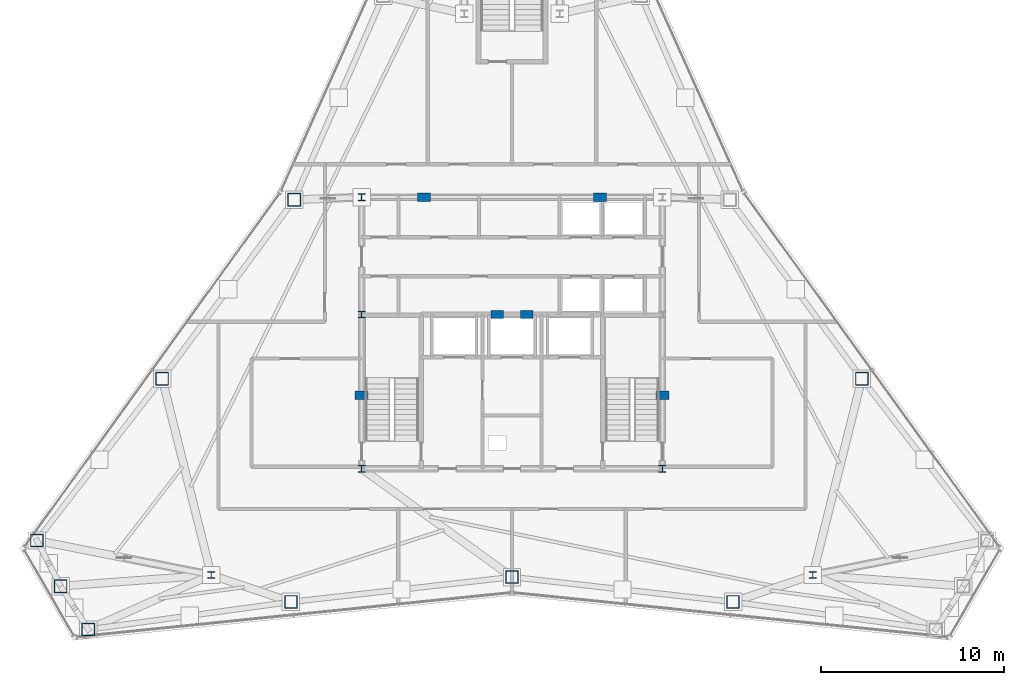
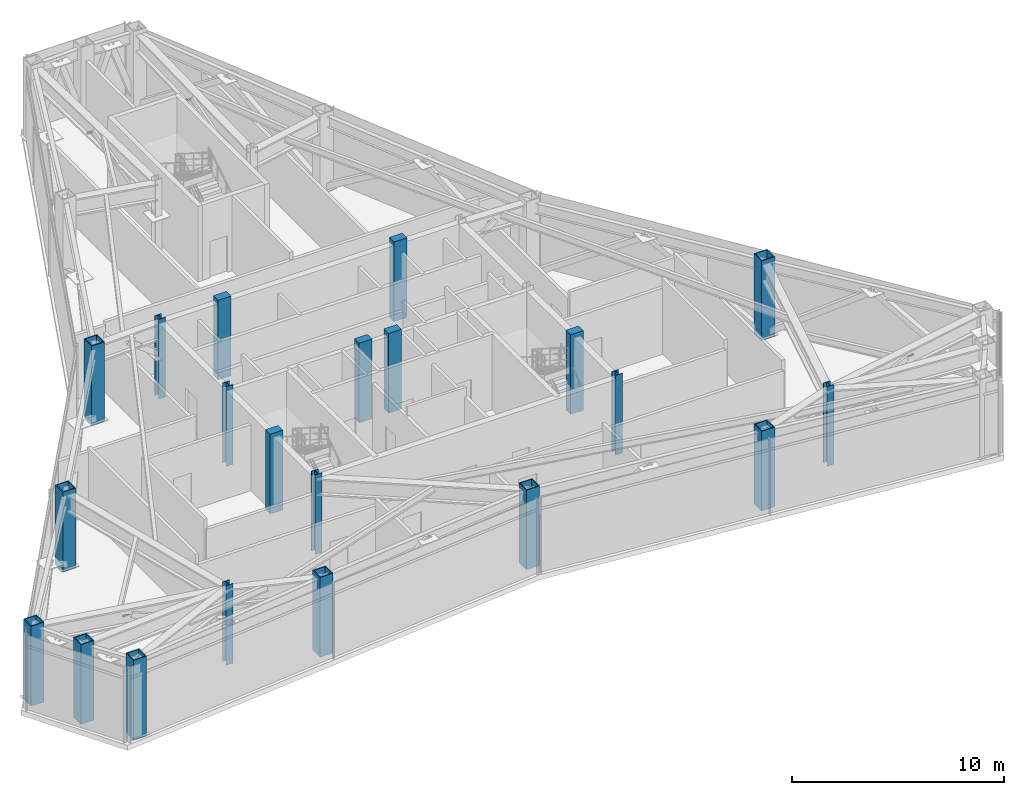
# One storey, part 1 of 12: 21 columns.
"""IFC4 building model written with IfcOpenShell, lengths in metres."""

import ifcopenshell
import ifcopenshell.guid

model = None  # the IFC model being written
_history = None  # IfcOwnerHistory: only IFC2X3 demands one
_inside = {}  # id of a spatial element -> (the spatial element, [elements in it])
_under = {}  # id of a project, library or spatial element -> (it, [spatial elements below it])
_declared = {}  # id of a project -> (the project, [libraries it declares])
_typed = {}  # id of a type object -> (the type object, [elements of that type])
_made_of = {}  # id of a material, layer set ... -> (it, [elements and type objects made of it])


def new_model(schema):
    """Start an empty IFC model of exactly this schema.

    Asked for "IFC4X3", IfcOpenShell would pick the latest addendum, in which some entities
    have other attributes; the version numbers below select the first issue.
    IFC2X3 requires an IfcOwnerHistory on every rooted entity: one is made here for all.
    """
    global model, _history
    if schema == "IFC4X3":
        model = ifcopenshell.file(schema_version=(4, 3, 0, 0))
    else:
        model = ifcopenshell.file(schema=schema)
    _inside.clear()
    _under.clear()
    _declared.clear()
    _typed.clear()
    _made_of.clear()
    _history = None
    if model.schema == "IFC2X3":
        org = make("IfcOrganization", Name="unknown")
        user = make(
            "IfcPersonAndOrganization",
            ThePerson=make("IfcPerson", FamilyName="unknown"),
            TheOrganization=org,
        )
        app = make(
            "IfcApplication",
            ApplicationDeveloper=org,
            Version="unknown",
            ApplicationFullName="unknown",
            ApplicationIdentifier="unknown",
        )
        _history = make(
            "IfcOwnerHistory",
            OwningUser=user,
            OwningApplication=app,
            ChangeAction="ADDED",
            CreationDate=0,
        )
    return model


def make(cls, **values):
    """One entity of the class cls with the attributes given. An attribute that is None is left unset."""
    return model.create_entity(
        cls, **{name: value for name, value in values.items() if value is not None}
    )


def rooted(cls, **values):
    """An entity with a GlobalId (a new one), such as an element, a storey or a relation."""
    return make(cls, GlobalId=ifcopenshell.guid.new(), OwnerHistory=_history, **values)


def si_unit(unit_type, name, prefix=None):
    """IfcSIUnit, for example si_unit("LENGTHUNIT", "METRE", prefix="MILLI")."""
    return make("IfcSIUnit", UnitType=unit_type, Prefix=prefix, Name=name)


def assignment(units):
    """IfcUnitAssignment: the units of a project."""
    return None if units is None else make("IfcUnitAssignment", Units=units)


def point(xyz):
    """IfcCartesianPoint."""
    return None if xyz is None else make("IfcCartesianPoint", Coordinates=xyz)


def direction(xyz):
    """IfcDirection."""
    return None if xyz is None else make("IfcDirection", DirectionRatios=xyz)


def frame(location, z_axis=None, x_axis=None):
    """IfcAxis2Placement3D, a coordinate frame: its origin and axes. An axis left out is left unset."""
    return make(
        "IfcAxis2Placement3D",
        Location=point(location),
        Axis=direction(z_axis),
        RefDirection=direction(x_axis),
    )


def frame_2d(location, x_axis=None):
    """IfcAxis2Placement2D, a coordinate frame in the plane: its origin and x axis."""
    return make(
        "IfcAxis2Placement2D", Location=point(location), RefDirection=direction(x_axis)
    )


def origin():
    """The frame at (0, 0, 0) with its axes left unset."""
    return frame((0.0, 0.0, 0.0))


def origin_2d():
    """The frame at (0, 0) in the plane with its x axis left unset."""
    return frame_2d((0.0, 0.0))


def place(relative_to, where):
    """IfcLocalPlacement: puts the frame where relative to a parent placement (None: the world)."""
    return make(
        "IfcLocalPlacement", PlacementRelTo=relative_to, RelativePlacement=where
    )


def context(
    kind, dimensions, precision=None, world=None, true_north=None, identifier=None
):
    """IfcGeometricRepresentationContext, for example the 3D "Model" context."""
    return make(
        "IfcGeometricRepresentationContext",
        ContextIdentifier=identifier,
        ContextType=kind,
        CoordinateSpaceDimension=dimensions,
        Precision=precision,
        WorldCoordinateSystem=world,
        TrueNorth=true_north,
    )


def subcontext(parent, identifier, kind, view, scale=None):
    """IfcGeometricRepresentationSubContext, for example "Body" below "Model"."""
    return make(
        "IfcGeometricRepresentationSubContext",
        ContextIdentifier=identifier,
        ContextType=kind,
        ParentContext=parent,
        TargetScale=scale,
        TargetView=view,
    )


def project(units=None, contexts=None):
    """IfcProject with its units and contexts."""
    return rooted(
        "IfcProject",
        Name="project",
        RepresentationContexts=contexts,
        UnitsInContext=assignment(units),
    )


def spatial(cls, under=None, at=None, **own):
    """A site, building, storey or space (cls), placed at a placement, below another one or the project."""
    s = rooted(cls, ObjectPlacement=at, **own)
    if under is not None:
        _under.setdefault(under.id(), (under, []))[1].append(s)
    return s


def profile(cls, at=None, kind="AREA", **sizes):
    """A parametric profile (cls). Its sizes go by their IFC names, for example OverallWidth=200.0."""
    return make(cls, ProfileType=kind, Position=at, **sizes)


def rectangle(**sizes):
    """IfcRectangleProfileDef."""
    return profile("IfcRectangleProfileDef", **sizes)


def hollow_rectangle(**sizes):
    """IfcRectangleHollowProfileDef."""
    return profile("IfcRectangleHollowProfileDef", **sizes)


def i_section(**sizes):
    """IfcIShapeProfileDef."""
    return profile("IfcIShapeProfileDef", **sizes)


def extrude(swept, where, along, depth):
    """IfcExtrudedAreaSolid: the profile swept, set in the frame where, extruded along a direction by depth."""
    return make(
        "IfcExtrudedAreaSolid",
        SweptArea=swept,
        Position=where,
        ExtrudedDirection=direction(along),
        Depth=depth,
    )


def shape(context_of_items, identifier, shape_type, items):
    """IfcShapeRepresentation: the items that make up one representation, for example the "Body"."""
    return make(
        "IfcShapeRepresentation",
        ContextOfItems=context_of_items,
        RepresentationIdentifier=identifier,
        RepresentationType=shape_type,
        Items=items,
    )


def material(Name=None, Category=None):
    """IfcMaterial."""
    return make("IfcMaterial", Name=Name, Category=Category)


def material_profile(
    of_material, cross_section, Name=None, Category=None, Priority=None
):
    """IfcMaterialProfile: a cross section and its material."""
    return make(
        "IfcMaterialProfile",
        Name=Name,
        Material=of_material,
        Profile=cross_section,
        Priority=Priority,
        Category=Category,
    )


def profile_set(profiles, Name=None, composite=None):
    """IfcMaterialProfileSet."""
    return make(
        "IfcMaterialProfileSet",
        Name=Name,
        MaterialProfiles=profiles,
        CompositeProfile=composite,
    )


def made_of(thing, what):
    """Note that an element or type object is made of a material, layer set ...; save() writes the relation."""
    if what is not None:
        _made_of.setdefault(what.id(), (what, []))[1].append(thing)
    return thing


def type_object(cls, material=None, **own):
    """A type object (cls), such as IfcWallType, which elements share."""
    return made_of(rooted(cls, **own), material)


def element(
    cls,
    number,
    at=None,
    inside=None,
    cuts=None,
    type_object=None,
    material=None,
    context=None,
    identifier="Body",
    shape_type=None,
    held_by="IfcProductDefinitionShape",
    body=None,
    shapes=None,
    **own,
):
    """One element of the class cls, such as IfcWall. Its Tag is "e" and its number.

    at: its placement. inside: the storey or other place that contains it. cuts: it is an
    opening in that element (IfcRelVoidsElement). A single representation is given by context,
    identifier, shape_type and body (its items); several are given by shapes. held_by: the class
    of the entity that holds the representations. save() writes the other relations.
    """
    e = rooted(cls, Tag="e%d" % number, ObjectPlacement=at, **own)
    if body is not None:
        shapes = [shape(context, identifier, shape_type, body)]
    if shapes is not None:
        e.Representation = make(held_by, Representations=shapes)
    if inside is not None:
        _inside.setdefault(inside.id(), (inside, []))[1].append(e)
    if cuts is not None:
        rooted(
            "IfcRelVoidsElement", RelatingBuildingElement=cuts, RelatedOpeningElement=e
        )
    if type_object is not None:
        _typed.setdefault(type_object.id(), (type_object, []))[1].append(e)
    return made_of(e, material)


def aggregate(whole, parts):
    """IfcRelAggregates: a whole, such as a stair, and the parts it consists of."""
    return rooted("IfcRelAggregates", RelatingObject=whole, RelatedObjects=parts)


def save(model, path):
    """Write the relations noted so far, then the file.

    IfcRelAggregates (storeys below a building ...), IfcRelContainedInSpatialStructure (elements
    in a storey), IfcRelDefinesByType, IfcRelAssociatesMaterial and IfcRelDeclares: one each for
    every whole, place, type object, material and project.
    """
    for whole, parts in _under.values():
        aggregate(whole, parts)
    for where, things in _inside.values():
        rooted(
            "IfcRelContainedInSpatialStructure",
            RelatedElements=things,
            RelatingStructure=where,
        )
    for kind, things in _typed.values():
        rooted("IfcRelDefinesByType", RelatedObjects=things, RelatingType=kind)
    for what, things in _made_of.values():
        rooted("IfcRelAssociatesMaterial", RelatedObjects=things, RelatingMaterial=what)
    for by, libraries in _declared.values():
        rooted("IfcRelDeclares", RelatingContext=by, RelatedDefinitions=libraries)
    model.write(path)


model = new_model("IFC4")

# Units and contexts
model_context = context("Model", 3, precision=1e-05, world=origin(), true_north=direction((0.0, 1.0)))
body_context = subcontext(model_context, "Body", "Model", "MODEL_VIEW")
ifc_project = project(units=[si_unit("LENGTHUNIT", "METRE"), si_unit("AREAUNIT", "SQUARE_METRE"), si_unit("VOLUMEUNIT", "CUBIC_METRE"), si_unit("PLANEANGLEUNIT", "RADIAN"), si_unit("MASSUNIT", "GRAM", prefix="KILO")], contexts=[model_context])

# Site, building, storey
site_placement = place(None, origin())
site = spatial("IfcSite", under=ifc_project, at=site_placement, CompositionType="ELEMENT")
building_placement = place(site_placement, origin())
building = spatial("IfcBuilding", under=site, at=building_placement, Name="Varakhsha Concourse Tower", CompositionType="ELEMENT")
storey_placement = place(building_placement, frame((0.0, 0.0, 250.39990234375)))
storey = spatial("IfcBuildingStorey", under=building, at=storey_placement, Name="L71", CompositionType="ELEMENT", Elevation=250.39990234375)

# Columns
ifc_material_1 = material(Name="Structural Steel ASTM A992 Grade 50", Category="steel")
ifc_material_profile_1 = material_profile(ifc_material_1, i_section(OverallWidth=0.3740234375, OverallDepth=0.3720703125, WebThickness=0.01611328125, FlangeThickness=0.02587890625, at=origin_2d()), Name="W14X132")
ifc_profile_set_1 = profile_set([ifc_material_profile_1], Name="Structural Steel ASTM A992 Grade 50")
column_type_1 = type_object("IfcColumnType", Name="CL-CORE-W14X132", PredefinedType="COLUMN", material=ifc_profile_set_1)
for number, where, z_axis, x_axis, name in (
    (1, (31.800048828125, 16.39990234375, 0.0), (0.0, 0.0, 1.0), (1.0, 0.0, 0.0), "L71 Core Column CC-SW"),
    (2, (48.199951171875, 16.39990234375, 0.0), (0.0, 0.0, 1.0), (1.0, 0.0, 0.0), "L71 Core Column CC-SE"),
    (3, (31.800048828125, 24.800048828125, 0.0), (0.0, 0.0, 1.0), (1.0, 0.0, 0.0), "L71 Core Column CC-MW"),
    (4, (31.800048828125, 31.199951171875, 0.0), (0.0, 0.0, 1.0), (1.0, 0.0, 0.0), "L71 Core Column CC-NW"),
    (5, (23.60009765625, 10.60009765625, 0.0), (0.0, 0.0, 1.0), (1.0, 0.0, 0.0), "L71 Core Column SS-W"),
    (6, (56.39990234375, 10.60009765625, 0.0), (0.0, 0.0, 1.0), (1.0, 0.0, 0.0), "L71 Core Column SS-E"),
):
    element("IfcColumn", number, at=place(storey_placement, frame(where, z_axis=z_axis, x_axis=x_axis)), inside=storey, type_object=column_type_1, Name=name, PredefinedType="COLUMN", context=body_context, shape_type="SweptSolid", body=[
        extrude(i_section(OverallWidth=0.3740234375, OverallDepth=0.3720703125, WebThickness=0.01611328125, FlangeThickness=0.02587890625, at=origin_2d()), origin(), (0.0, 0.0, 1.0), 4.60009765625),
    ])
ifc_material_2 = material(Name="Concrete fc 65 MPa", Category="concrete")
ifc_material_profile_2 = material_profile(ifc_material_2, rectangle(XDim=0.699951171875, YDim=0.449951171875, at=origin_2d()), Name="RC 700x450")
ifc_profile_set_2 = profile_set([ifc_material_profile_2], Name="Concrete fc 65 MPa")
column_type_2 = type_object("IfcColumnType", Name="CL-PIL-700X450", PredefinedType="PILASTER", material=ifc_profile_set_2)
for number, where, z_axis, x_axis, name in (
    (7, (31.800048828125, 20.39990234375, 0.0), (0.0, 0.0, 1.0), (1.0, 0.0, 0.0), "L71 Core Boundary Pilaster PIL-W1"),
    (8, (48.199951171875, 20.39990234375, 0.0), (0.0, 0.0, 1.0), (1.0, 0.0, 0.0), "L71 Core Boundary Pilaster PIL-E1"),
    (9, (35.199951171875, 31.199951171875, 0.0), (0.0, 0.0, 1.0), (1.0, 0.0, 0.0), "L71 Core Boundary Pilaster PIL-N1"),
    (10, (44.800048828125, 31.199951171875, 0.0), (0.0, 0.0, 1.0), (1.0, 0.0, 0.0), "L71 Core Boundary Pilaster PIL-N2"),
    (11, (39.199951171875, 24.800048828125, 0.0), (0.0, 0.0, 1.0), (1.0, 0.0, 0.0), "L71 Core Boundary Pilaster PIL-M1"),
    (12, (40.800048828125, 24.800048828125, 0.0), (0.0, 0.0, 1.0), (1.0, 0.0, 0.0), "L71 Core Boundary Pilaster PIL-M2"),
):
    element("IfcColumn", number, at=place(storey_placement, frame(where, z_axis=z_axis, x_axis=x_axis)), inside=storey, type_object=column_type_2, Name=name, PredefinedType="PILASTER", context=body_context, shape_type="SweptSolid", body=[
        extrude(rectangle(XDim=0.699951171875, YDim=0.449951171875, at=origin_2d()), origin(), (0.0, 0.0, 1.0), 4.60009765625),
    ])
ifc_material_3 = material(Name="Structural Steel ASTM A572 Grade 50", Category="steel")
ifc_material_profile_3 = material_profile(ifc_material_3, hollow_rectangle(XDim=0.719970703125, YDim=0.719970703125, WallThickness=0.050048828125, at=origin_2d()), Name="BOX 720x720x50")
ifc_profile_set_3 = profile_set([ifc_material_profile_3], Name="Structural Steel ASTM A572 Grade 50")
column_type_3 = type_object("IfcColumnType", Name="CL-TUBE-720", PredefinedType="COLUMN", material=ifc_profile_set_3)
for number, where, z_axis, x_axis, name in (
    (13, (28.125732421875, 31.0556640625, 0.0), (0.0, 0.0, 1.0), (1.0, 0.0, 0.0), "L71 Framed-Tube Column TC05"),
    (14, (20.92724609375, 21.29736328125, 0.0), (0.0, 0.0, 1.0), (1.0, 0.0, 0.0), "L71 Framed-Tube Column TC06"),
    (15, (14.10009765625, 12.47998046875, 0.0), (0.0, 0.0, 1.0), (1.0, 0.0, 0.0), "L71 Framed-Tube Column TC07"),
    (16, (15.39013671875, 9.991455078125, 0.0), (0.0, 0.0, 1.0), (1.0, 0.0, 0.0), "L71 Framed-Tube Column TC08"),
    (17, (16.900390625, 7.6298828125, 0.0), (0.0, 0.0, 1.0), (1.0, 0.0, 0.0), "L71 Framed-Tube Column TC09"),
    (18, (27.94970703125, 9.1337890625, 0.0), (0.0, 0.0, 1.0), (1.0, 0.0, 0.0), "L71 Framed-Tube Column TC10"),
    (19, (40.0, 10.48876953125, 0.0), (0.0, 0.0, 1.0), (1.0, 0.0, 0.0), "L71 Framed-Tube Column TC11"),
    (20, (52.05029296875, 9.1337890625, 0.0), (0.0, 0.0, 1.0), (1.0, 0.0, 0.0), "L71 Framed-Tube Column TC12"),
    (21, (59.07275390625, 21.29736328125, 0.0), (0.0, 0.0, 1.0), (1.0, 0.0, 0.0), "L71 Framed-Tube Column TC16"),
):
    element("IfcColumn", number, at=place(storey_placement, frame(where, z_axis=z_axis, x_axis=x_axis)), inside=storey, type_object=column_type_3, Name=name, PredefinedType="COLUMN", context=body_context, shape_type="SweptSolid", body=[
        extrude(hollow_rectangle(XDim=0.719970703125, YDim=0.719970703125, WallThickness=0.050048828125, at=origin_2d()), origin(), (0.0, 0.0, 1.0), 4.60009765625),
    ])

save(model, "model.ifc")
